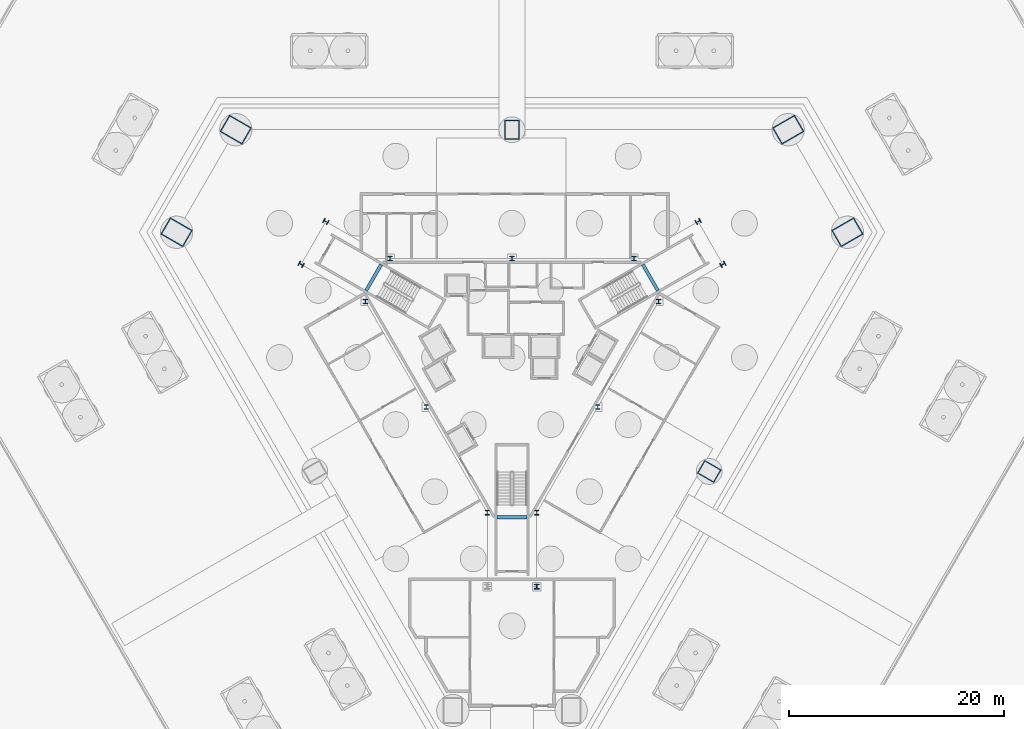
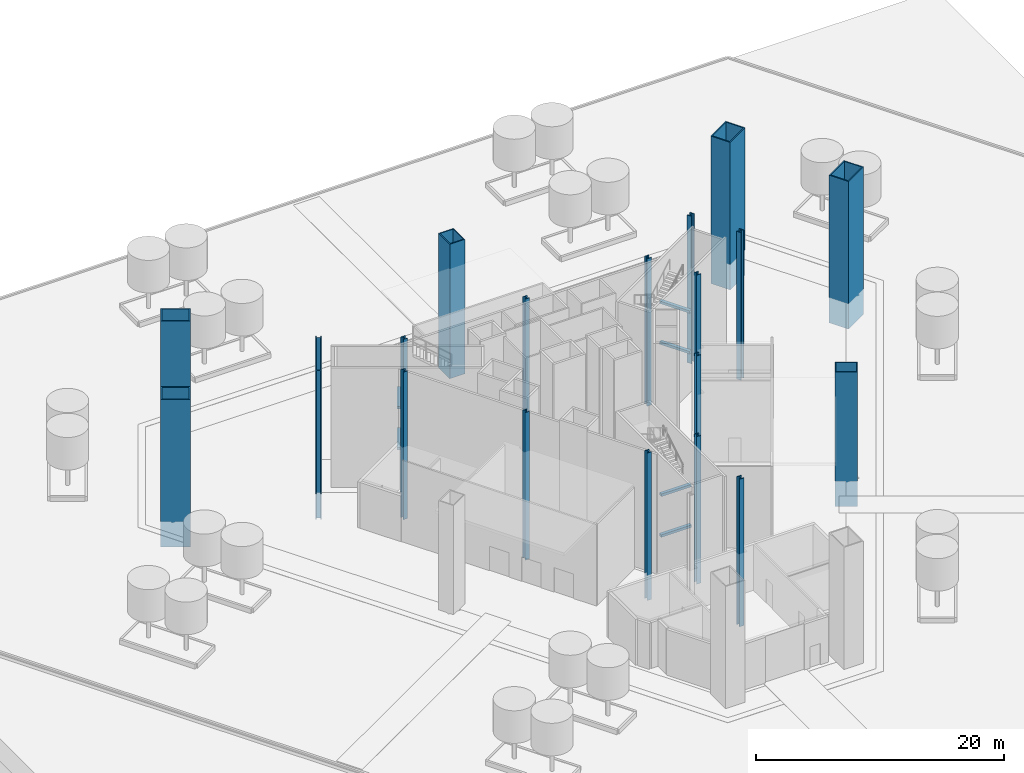
# One storey, part 2 of 22: 20 columns, 6 beams.
"""IFC4 building model written with IfcOpenShell, lengths in metres."""

from ifc_helpers import new_model, si_unit, direction, frame, origin, origin_2d, place, context, subcontext, project, spatial, rectangle, hollow_rectangle, i_section, extrude, material, material_profile, profile_set, type_object, element, save


model = new_model("IFC4")

# Units and contexts
model_context = context("Model", 3, precision=1e-05, world=origin(), true_north=direction((0.0, 1.0)))
body_context = subcontext(model_context, "Body", "Model", "MODEL_VIEW")
ifc_project = project(units=[si_unit("LENGTHUNIT", "METRE"), si_unit("AREAUNIT", "SQUARE_METRE"), si_unit("VOLUMEUNIT", "CUBIC_METRE"), si_unit("PLANEANGLEUNIT", "RADIAN"), si_unit("MASSUNIT", "GRAM", prefix="KILO")], contexts=[model_context])

# Site, building, storey
site_placement = place(None, origin())
site = spatial("IfcSite", under=ifc_project, at=site_placement, CompositionType="ELEMENT")
building_placement = place(site_placement, origin())
building = spatial("IfcBuilding", under=site, at=building_placement, Name="Verrane Prism Tower", CompositionType="ELEMENT")
storey_placement = place(building_placement, origin())
storey = spatial("IfcBuildingStorey", under=building, at=storey_placement, Name="L00", CompositionType="ELEMENT", Elevation=0.0)

# Columns
ifc_material_1 = material(Name="Steel A992", Category="steel")
ifc_material_profile_1 = material_profile(ifc_material_1, i_section(OverallWidth=0.424072265625, OverallDepth=0.47509765625, WebThickness=0.0478515625, FlangeThickness=0.0771484375, FilletRadius=0.014892578125, at=origin_2d()), Name="W14x426")
ifc_profile_set_1 = profile_set([ifc_material_profile_1], Name="Steel A992")
column_type_1 = type_object("IfcColumnType", Name="Core corner column W14x426", PredefinedType="COLUMN", material=ifc_profile_set_1)
for number, where, z_axis, x_axis, name in (
    (1, (19.60009765625, 8.659912109375, -2.5), (0.0, 0.0, 1.0), (0.5, -0.866025403784, 0.0), "Core corner column CK-NEm L00"),
    (2, (17.300048828125, 12.639892578125, -2.5), (0.0, 0.0, 1.0), (0.5, -0.866025403784, 0.0), "Core corner column CK-NEp L00"),
    (3, (-17.300048828125, 12.639892578125, -2.5), (0.0, 0.0, 1.0), (0.5, 0.866025403784, 0.0), "Core corner column CK-NWm L00"),
    (4, (-19.60009765625, 8.659912109375, -2.5), (0.0, 0.0, 1.0), (0.5, 0.866025403784, 0.0), "Core corner column CK-NWp L00"),
    (5, (2.300048828125, -21.300048828125, -2.5), (0.0, 0.0, 1.0), (-1.0, 0.0, 0.0), "Core corner column CK-Sp L00"),
):
    element("IfcColumn", number, at=place(storey_placement, frame(where, z_axis=z_axis, x_axis=x_axis)), inside=storey, type_object=column_type_1, Name=name, PredefinedType="COLUMN", context=body_context, shape_type="SweptSolid", body=[
        extrude(i_section(OverallWidth=0.424072265625, OverallDepth=0.47509765625, WebThickness=0.0478515625, FlangeThickness=0.0771484375, FilletRadius=0.014892578125, at=origin_2d()), origin(), (0.0, 0.0, 1.0), 14.5),
    ])
ifc_material_2 = material(Name="Steel A992", Category="steel")
ifc_material_profile_2 = material_profile(ifc_material_2, i_section(OverallWidth=0.411376953125, OverallDepth=0.434326171875, WebThickness=0.035888671875, FlangeThickness=0.057373046875, FilletRadius=0.01513671875, at=origin_2d()), Name="W14x311")
ifc_profile_set_2 = profile_set([ifc_material_profile_2], Name="Steel A992")
column_type_2 = type_object("IfcColumnType", Name="Core side column W14x311", PredefinedType="COLUMN", material=ifc_profile_set_2)
for number, where, z_axis, x_axis, name in (
    (6, (13.6298828125, 5.219970703125, -2.5), (0.0, 0.0, 1.0), (1.0, 0.0, 0.0), "Core side column CC-NEm L00"),
    (7, (11.330078125, 9.199951171875, -2.5), (0.0, 0.0, 1.0), (1.0, 0.0, 0.0), "Core side column CC-NEp L00"),
    (8, (0.0, 9.199951171875, -2.5), (0.0, 0.0, 1.0), (1.0, 0.0, 0.0), "Core side column CC-N0 L00"),
    (9, (-11.330078125, 9.199951171875, -2.5), (0.0, 0.0, 1.0), (1.0, 0.0, 0.0), "Core side column CC-NWm L00"),
    (10, (-13.6298828125, 5.219970703125, -2.5), (0.0, 0.0, 1.0), (1.0, 0.0, 0.0), "Core side column CC-NWp L00"),
    (11, (-7.969970703125, -4.60009765625, -2.5), (0.0, 0.0, 1.0), (1.0, 0.0, 0.0), "Core side column CC-SW0 L00"),
    (12, (-2.300048828125, -14.419921875, -2.5), (0.0, 0.0, 1.0), (1.0, 0.0, 0.0), "Core side column CC-Sm L00"),
    (13, (2.300048828125, -14.419921875, -2.5), (0.0, 0.0, 1.0), (1.0, 0.0, 0.0), "Core side column CC-Sp L00"),
    (14, (7.969970703125, -4.60009765625, -2.5), (0.0, 0.0, 1.0), (1.0, 0.0, 0.0), "Core side column CC-SE0 L00"),
):
    element("IfcColumn", number, at=place(storey_placement, frame(where, z_axis=z_axis, x_axis=x_axis)), inside=storey, type_object=column_type_2, Name=name, PredefinedType="COLUMN", context=body_context, shape_type="SweptSolid", body=[
        extrude(i_section(OverallWidth=0.411376953125, OverallDepth=0.434326171875, WebThickness=0.035888671875, FlangeThickness=0.057373046875, FilletRadius=0.01513671875, at=origin_2d()), origin(), (0.0, 0.0, 1.0), 14.5),
    ])
ifc_material_3 = material(Name="Steel A572 Grade 50", Category="steel")
ifc_material_profile_3 = material_profile(ifc_material_3, hollow_rectangle(XDim=1.800048828125, YDim=2.39990234375, WallThickness=0.10009765625, at=origin_2d()), Name="BOX 2400x1800x100")
ifc_profile_set_3 = profile_set([ifc_material_profile_3], Name="Steel A572 Grade 50")
column_type_3 = type_object("IfcColumnType", Name="Megacolumn BOX 2400x1800x100", PredefinedType="COLUMN", material=ifc_profile_set_3)
for number, where, z_axis, x_axis, name in (
    (15, (25.669921875, 21.169921875, -2.5), (0.0, 0.0, 1.0), (0.5, -0.866025403784, 0.0), "Megacolumn MC-NE.b L00"),
    (16, (-25.669921875, 21.169921875, -2.5), (0.0, 0.0, 1.0), (0.5, 0.866025403784, 0.0), "Megacolumn MC-NW.a L00"),
    (17, (-31.169921875, 11.639892578125, -2.5), (0.0, 0.0, 1.0), (0.5, 0.866025403784, 0.0), "Megacolumn MC-NW.b L00"),
    (18, (31.169921875, 11.639892578125, -2.5), (0.0, 0.0, 1.0), (0.5, -0.866025403784, 0.0), "Megacolumn MC-NE.a L00"),
):
    element("IfcColumn", number, at=place(storey_placement, frame(where, z_axis=z_axis, x_axis=x_axis)), inside=storey, type_object=column_type_3, Name=name, PredefinedType="COLUMN", context=body_context, shape_type="SweptSolid", body=[
        extrude(hollow_rectangle(XDim=1.800048828125, YDim=2.39990234375, WallThickness=0.10009765625, at=origin_2d()), origin(), (0.0, 0.0, 1.0), 14.5),
    ])
ifc_material_4 = material(Name="Steel A572 Grade 50", Category="steel")
ifc_material_profile_4 = material_profile(ifc_material_4, hollow_rectangle(XDim=1.39990234375, YDim=1.800048828125, WallThickness=0.090087890625, at=origin_2d()), Name="BOX 1800x1400x90")
ifc_profile_set_4 = profile_set([ifc_material_profile_4], Name="Steel A572 Grade 50")
column_type_4 = type_object("IfcColumnType", Name="Stilt leg BOX 1800x1400x90", PredefinedType="COLUMN", material=ifc_profile_set_4)
for number, where, z_axis, x_axis, name in (
    (19, (0.0, 21.169921875, -2.5), (0.0, 0.0, 1.0), (1.0, 0.0, 0.0), "Stilt leg PC-N3 L00"),
    (20, (18.330078125, -10.590087890625, -2.5), (0.0, 0.0, 1.0), (-0.5, -0.866025403784, 0.0), "Stilt leg PC-SE3 L00"),
):
    element("IfcColumn", number, at=place(storey_placement, frame(where, z_axis=z_axis, x_axis=x_axis)), inside=storey, type_object=column_type_4, Name=name, PredefinedType="COLUMN", context=body_context, shape_type="SweptSolid", body=[
        extrude(hollow_rectangle(XDim=1.39990234375, YDim=1.800048828125, WallThickness=0.090087890625, at=origin_2d()), origin(), (0.0, 0.0, 1.0), 13.219970703125),
    ])

# Beams
ifc_material_5 = material(Name="Concrete C40/50", Category="concrete")
ifc_material_profile_5 = material_profile(ifc_material_5, rectangle(XDim=0.300048828125, YDim=0.25, at=origin_2d()), Name="RC 300x250")
ifc_profile_set_5 = profile_set([ifc_material_profile_5], Name="Concrete C40/50")
beam_type = type_object("IfcBeamType", Name="Stair landing trimmer beam 300x250 concrete C40/50", PredefinedType="BEAM", material=ifc_profile_set_5)
for number, where, z_axis, x_axis, name in (
    (21, (12.160400390625, 8.637451171875, 3.675048828125), (0.500049511043, -0.865996816683, 0.0), (0.865996816683, 0.500049511043, 0.0), "Stair 1 landing trimmer beam"),
    (22, (12.160400390625, 8.637451171875, 7.675048828125), (0.500049511043, -0.865996816683, 0.0), (0.865996816683, 0.500049511043, 0.0), "Stair 1 landing trimmer beam"),
    (23, (-13.560546875, 6.212646484375, 3.675048828125), (0.500049511043, 0.865996816683, 0.0), (-0.865996816683, 0.500049511043, 0.0), "Stair 2 landing trimmer beam"),
    (24, (-13.560546875, 6.212646484375, 7.675048828125), (0.500049511043, 0.865996816683, 0.0), (-0.865996816683, 0.500049511043, 0.0), "Stair 2 landing trimmer beam"),
):
    element("IfcBeam", number, at=place(storey_placement, frame(where, z_axis=z_axis, x_axis=x_axis)), inside=storey, type_object=beam_type, Name=name, PredefinedType="BEAM", context=body_context, shape_type="SweptSolid", body=[
        extrude(rectangle(XDim=0.300048828125, YDim=0.25, at=origin_2d()), origin(), (0.0, 0.0, 1.0), 2.800048828125),
    ])
for number, where, z_axis, x_axis, name in (
    (25, (1.39990234375, -14.85009765625, 3.675048828125), (-1.0, 0.0, 0.0), (0.0, -1.0, 0.0), "Stair 3 landing trimmer beam"),
    (26, (1.39990234375, -14.85009765625, 7.675048828125), (-1.0, 0.0, 0.0), (0.0, -1.0, 0.0), "Stair 3 landing trimmer beam"),
):
    element("IfcBeam", number, at=place(storey_placement, frame(where, z_axis=z_axis, x_axis=x_axis)), inside=storey, type_object=beam_type, Name=name, PredefinedType="BEAM", context=body_context, shape_type="SweptSolid", body=[
        extrude(rectangle(XDim=0.300048828125, YDim=0.25, at=origin_2d()), origin(), (0.0, 0.0, 1.0), 2.7998046875),
    ])

save(model, "model.ifc")
